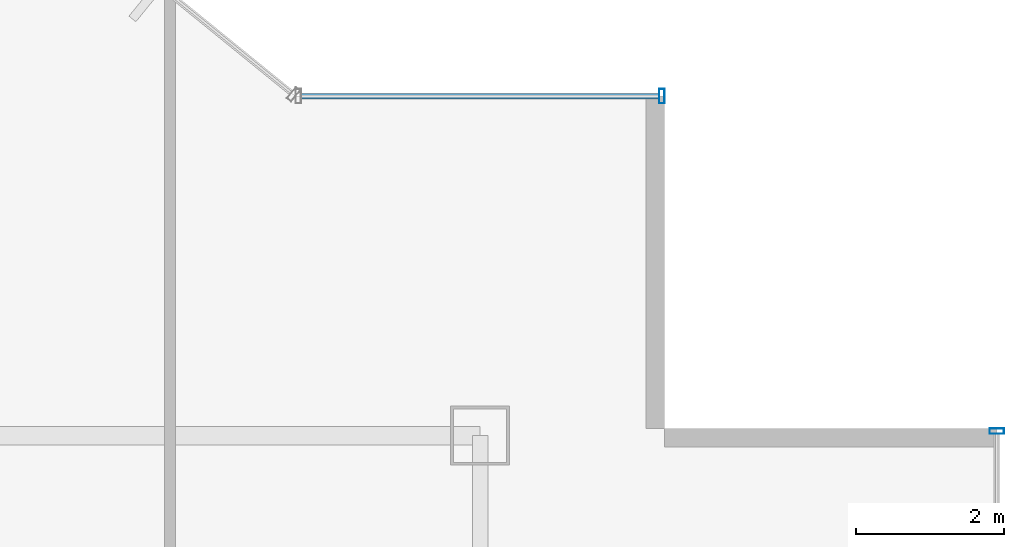
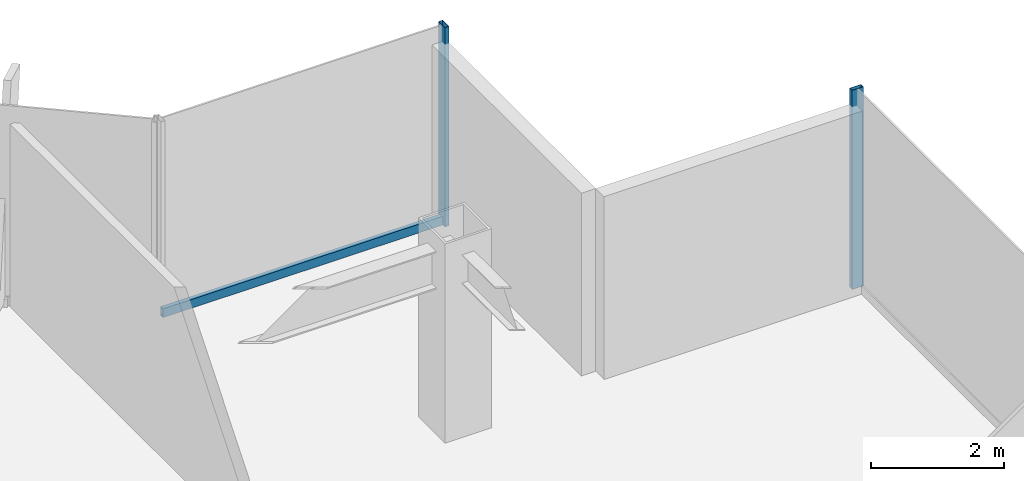
# One storey, part 19 of 26: 3 members, 2 elements without a shape of their own.
"""IFC4 building model written with IfcOpenShell, lengths in metres."""

from ifc_helpers import new_model, si_unit, derived_unit, direction, frame, origin, origin_2d, place, context, subcontext, project, spatial, hollow_rectangle, extrude, source, transform, mapped, material, material_profile, profile_set, type_object, element, aggregate, save


model = new_model("IFC4")

# Units and contexts
model_context = context("Model", 3, precision=1e-05, world=origin(), true_north=direction((0.0, 1.0)))
body_context = subcontext(model_context, "Body", "Model", "MODEL_VIEW")
ifc_project = project(units=[si_unit("LENGTHUNIT", "METRE"), si_unit("AREAUNIT", "SQUARE_METRE"), si_unit("VOLUMEUNIT", "CUBIC_METRE"), si_unit("PLANEANGLEUNIT", "RADIAN"), si_unit("MASSUNIT", "GRAM", prefix="KILO"), derived_unit("THERMALTRANSMITTANCEUNIT", [(si_unit("POWERUNIT", "WATT"), 1), (si_unit("LENGTHUNIT", "METRE"), -2), (si_unit("THERMODYNAMICTEMPERATUREUNIT", "KELVIN"), -1)])], contexts=[model_context])

# Site, building, storey
site_placement = place(None, origin())
site = spatial("IfcSite", under=ifc_project, at=site_placement, CompositionType="ELEMENT")
building_placement = place(site_placement, origin())
building = spatial("IfcBuilding", under=site, at=building_placement, Name="Skarnbrae Concourse Arena and Tower", CompositionType="ELEMENT")
storey_placement = place(building_placement, frame((0.0, 0.0, 132.449951171875)))
storey = spatial("IfcBuildingStorey", under=building, at=storey_placement, Name="L33", CompositionType="ELEMENT", Elevation=132.449951171875)

# Curtain wall, member
ifc_material = material(Name="Bronze anodised aluminium 6063-T6", Category="aluminium")
curtain_wall_type = type_object("IfcCurtainWallType", Name="CW-SYS-04-MIDZONE", PredefinedType="USERDEFINED", material=ifc_material)
curtain_wall_1_placement = place(storey_placement, origin())
curtain_wall_1 = element("IfcCurtainWall", 1, at=curtain_wall_1_placement, inside=storey, type_object=curtain_wall_type, Name="L33 Unitised curtain wall CW-L33-E04", ObjectType="UNITISED CURTAIN WALL", PredefinedType="USERDEFINED")
ifc_material_profile_1 = material_profile(ifc_material, hollow_rectangle(XDim=0.074951171875, YDim=0.195068359375, WallThickness=0.00439453125, at=origin_2d()), Name="ALU-MULL-75X195")
ifc_profile_set_1 = profile_set([ifc_material_profile_1], Name="Bronze anodised aluminium 6063-T6")
member_type_1 = type_object("IfcMemberType", Name="CWM-CW-04", PredefinedType="MULLION", material=ifc_profile_set_1)
shared_shape_1 = source(origin(), body_context, "Body", "SweptSolid", [
    extrude(hollow_rectangle(XDim=0.074951171875, YDim=0.195068359375, WallThickness=0.00439453125, at=origin_2d()), origin(), (0.0, 0.0, 1.0), 3.650146484375),
])
member_1_placement = place(storey_placement, frame((56.0, 34.46240234375, 0.0), z_axis=(0.0, 0.0, 1.0), x_axis=(0.0, 1.0, 0.0)))
member_1 = element("IfcMember", 2, at=member_1_placement, type_object=member_type_1, Name="CW-L33-E04 Mullion 5", PredefinedType="MULLION", context=body_context, shape_type="MappedRepresentation", body=[
    mapped(shared_shape_1, transform((0.0, 0.0, 0.0))),
])
aggregate(curtain_wall_1, [member_1])

# Curtain wall, members
curtain_wall_2_placement = place(storey_placement, origin())
curtain_wall_2 = element("IfcCurtainWall", 3, at=curtain_wall_2_placement, inside=storey, type_object=curtain_wall_type, Name="L33 Unitised curtain wall CW-L33-E07", ObjectType="UNITISED CURTAIN WALL", PredefinedType="USERDEFINED")
member_2_placement = place(storey_placement, frame((51.46240234375, 39.0, 0.0), z_axis=(0.0, 0.0, 1.0), x_axis=(-1.0, 0.0, 0.0)))
member_2 = element("IfcMember", 4, at=member_2_placement, type_object=member_type_1, Name="CW-L33-E07 Mullion 1", PredefinedType="MULLION", context=body_context, shape_type="MappedRepresentation", body=[
    mapped(shared_shape_1, transform((0.0, 0.0, 0.0))),
])
ifc_material_profile_2 = material_profile(ifc_material, hollow_rectangle(XDim=0.074951171875, YDim=0.159912109375, WallThickness=0.00439453125, at=origin_2d()), Name="ALU-TRAN-75X160")
ifc_profile_set_2 = profile_set([ifc_material_profile_2], Name="Bronze anodised aluminium 6063-T6")
member_type_2 = type_object("IfcMemberType", Name="CWT-CW-04", PredefinedType="USERDEFINED", material=ifc_profile_set_2)
shared_shape_2 = source(origin(), body_context, "Body", "SweptSolid", [
    extrude(hollow_rectangle(XDim=0.074951171875, YDim=0.159912109375, WallThickness=0.00439453125, at=origin_2d()), origin(), (0.0, 0.0, 1.0), 4.85009765625),
])
member_3_placement = place(storey_placement, frame((51.425048828125, 39.0, 0.080078125), z_axis=(-1.0, 0.0, 0.0), x_axis=(0.0, -1.0, 0.0)))
member_3 = element("IfcMember", 5, at=member_3_placement, type_object=member_type_2, Name="CW-L33-E07 Transom 1", ObjectType="TRANSOM", PredefinedType="USERDEFINED", context=body_context, shape_type="MappedRepresentation", body=[
    mapped(shared_shape_2, transform((0.0, 0.0, 0.0))),
])
aggregate(curtain_wall_2, [member_2, member_3])

save(model, "model.ifc")
